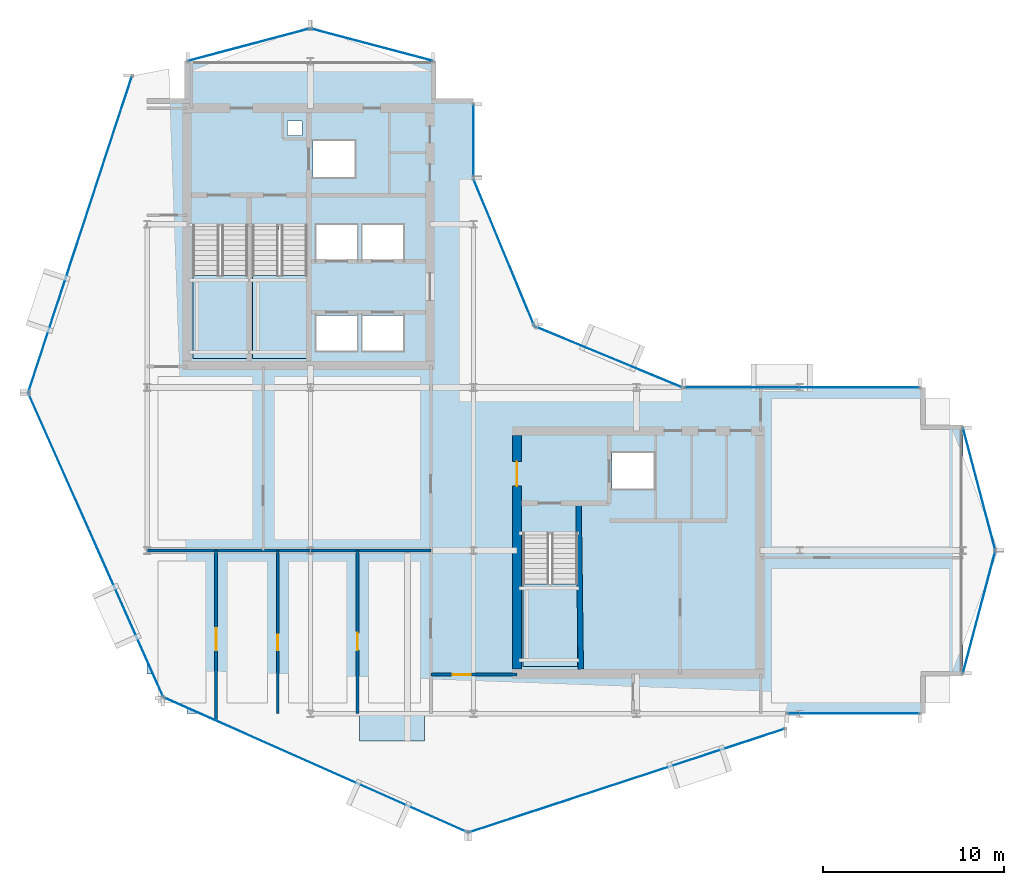
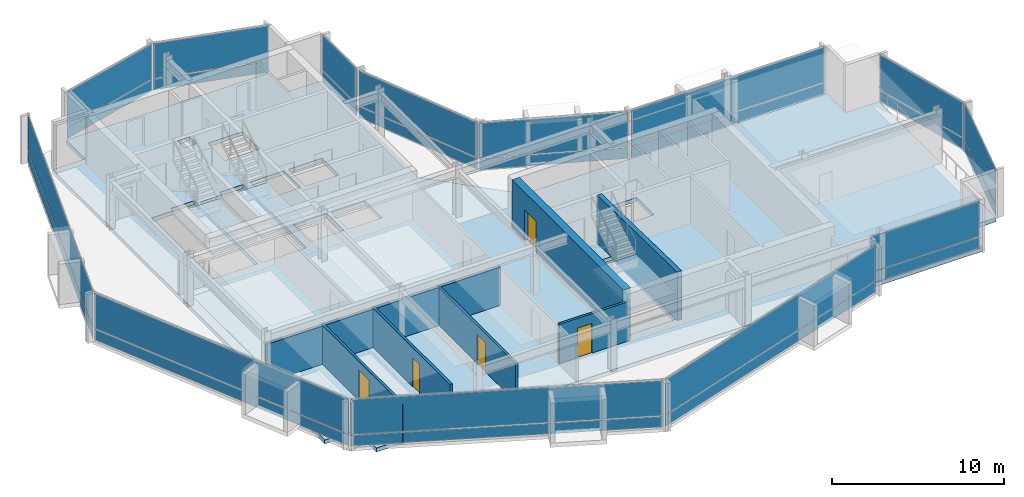
# One storey, part 19 of 27: 26 plates, 7 walls, 5 doors, 5 slabs, 5 openings, 16 elements without a shape of their own.
"""IFC4 building model written with IfcOpenShell, lengths in metres."""

import ifcopenshell
import ifcopenshell.guid

model = None  # the IFC model being written
_history = None  # IfcOwnerHistory: only IFC2X3 demands one
_inside = {}  # id of a spatial element -> (the spatial element, [elements in it])
_under = {}  # id of a project, library or spatial element -> (it, [spatial elements below it])
_declared = {}  # id of a project -> (the project, [libraries it declares])
_typed = {}  # id of a type object -> (the type object, [elements of that type])
_made_of = {}  # id of a material, layer set ... -> (it, [elements and type objects made of it])


def new_model(schema):
    """Start an empty IFC model of exactly this schema.

    Asked for "IFC4X3", IfcOpenShell would pick the latest addendum, in which some entities
    have other attributes; the version numbers below select the first issue.
    IFC2X3 requires an IfcOwnerHistory on every rooted entity: one is made here for all.
    """
    global model, _history
    if schema == "IFC4X3":
        model = ifcopenshell.file(schema_version=(4, 3, 0, 0))
    else:
        model = ifcopenshell.file(schema=schema)
    _inside.clear()
    _under.clear()
    _declared.clear()
    _typed.clear()
    _made_of.clear()
    _history = None
    if model.schema == "IFC2X3":
        org = make("IfcOrganization", Name="unknown")
        user = make(
            "IfcPersonAndOrganization",
            ThePerson=make("IfcPerson", FamilyName="unknown"),
            TheOrganization=org,
        )
        app = make(
            "IfcApplication",
            ApplicationDeveloper=org,
            Version="unknown",
            ApplicationFullName="unknown",
            ApplicationIdentifier="unknown",
        )
        _history = make(
            "IfcOwnerHistory",
            OwningUser=user,
            OwningApplication=app,
            ChangeAction="ADDED",
            CreationDate=0,
        )
    return model


def make(cls, **values):
    """One entity of the class cls with the attributes given. An attribute that is None is left unset."""
    return model.create_entity(
        cls, **{name: value for name, value in values.items() if value is not None}
    )


def rooted(cls, **values):
    """An entity with a GlobalId (a new one), such as an element, a storey or a relation."""
    return make(cls, GlobalId=ifcopenshell.guid.new(), OwnerHistory=_history, **values)


def si_unit(unit_type, name, prefix=None):
    """IfcSIUnit, for example si_unit("LENGTHUNIT", "METRE", prefix="MILLI")."""
    return make("IfcSIUnit", UnitType=unit_type, Prefix=prefix, Name=name)


def assignment(units):
    """IfcUnitAssignment: the units of a project."""
    return None if units is None else make("IfcUnitAssignment", Units=units)


def point(xyz):
    """IfcCartesianPoint."""
    return None if xyz is None else make("IfcCartesianPoint", Coordinates=xyz)


def direction(xyz):
    """IfcDirection."""
    return None if xyz is None else make("IfcDirection", DirectionRatios=xyz)


def frame(location, z_axis=None, x_axis=None):
    """IfcAxis2Placement3D, a coordinate frame: its origin and axes. An axis left out is left unset."""
    return make(
        "IfcAxis2Placement3D",
        Location=point(location),
        Axis=direction(z_axis),
        RefDirection=direction(x_axis),
    )


def frame_2d(location, x_axis=None):
    """IfcAxis2Placement2D, a coordinate frame in the plane: its origin and x axis."""
    return make(
        "IfcAxis2Placement2D", Location=point(location), RefDirection=direction(x_axis)
    )


def origin():
    """The frame at (0, 0, 0) with its axes left unset."""
    return frame((0.0, 0.0, 0.0))


def origin_2d():
    """The frame at (0, 0) in the plane with its x axis left unset."""
    return frame_2d((0.0, 0.0))


def place(relative_to, where):
    """IfcLocalPlacement: puts the frame where relative to a parent placement (None: the world)."""
    return make(
        "IfcLocalPlacement", PlacementRelTo=relative_to, RelativePlacement=where
    )


def context(
    kind, dimensions, precision=None, world=None, true_north=None, identifier=None
):
    """IfcGeometricRepresentationContext, for example the 3D "Model" context."""
    return make(
        "IfcGeometricRepresentationContext",
        ContextIdentifier=identifier,
        ContextType=kind,
        CoordinateSpaceDimension=dimensions,
        Precision=precision,
        WorldCoordinateSystem=world,
        TrueNorth=true_north,
    )


def subcontext(parent, identifier, kind, view, scale=None):
    """IfcGeometricRepresentationSubContext, for example "Body" below "Model"."""
    return make(
        "IfcGeometricRepresentationSubContext",
        ContextIdentifier=identifier,
        ContextType=kind,
        ParentContext=parent,
        TargetScale=scale,
        TargetView=view,
    )


def project(units=None, contexts=None):
    """IfcProject with its units and contexts."""
    return rooted(
        "IfcProject",
        Name="project",
        RepresentationContexts=contexts,
        UnitsInContext=assignment(units),
    )


def spatial(cls, under=None, at=None, **own):
    """A site, building, storey or space (cls), placed at a placement, below another one or the project."""
    s = rooted(cls, ObjectPlacement=at, **own)
    if under is not None:
        _under.setdefault(under.id(), (under, []))[1].append(s)
    return s


def polyline(points):
    """IfcPolyline through the points."""
    return make("IfcPolyline", Points=[point(p) for p in points])


def profile(cls, at=None, kind="AREA", **sizes):
    """A parametric profile (cls). Its sizes go by their IFC names, for example OverallWidth=200.0."""
    return make(cls, ProfileType=kind, Position=at, **sizes)


def rectangle(**sizes):
    """IfcRectangleProfileDef."""
    return profile("IfcRectangleProfileDef", **sizes)


def outline(outer, holes=None, kind="AREA"):
    """IfcArbitraryClosedProfileDef: a profile drawn as a closed curve; with holes, ...WithVoids."""
    if holes is None:
        return make("IfcArbitraryClosedProfileDef", ProfileType=kind, OuterCurve=outer)
    return make(
        "IfcArbitraryProfileDefWithVoids",
        ProfileType=kind,
        OuterCurve=outer,
        InnerCurves=holes,
    )


def extrude(swept, where, along, depth):
    """IfcExtrudedAreaSolid: the profile swept, set in the frame where, extruded along a direction by depth."""
    return make(
        "IfcExtrudedAreaSolid",
        SweptArea=swept,
        Position=where,
        ExtrudedDirection=direction(along),
        Depth=depth,
    )


def shape(context_of_items, identifier, shape_type, items):
    """IfcShapeRepresentation: the items that make up one representation, for example the "Body"."""
    return make(
        "IfcShapeRepresentation",
        ContextOfItems=context_of_items,
        RepresentationIdentifier=identifier,
        RepresentationType=shape_type,
        Items=items,
    )


def material(Name=None, Category=None):
    """IfcMaterial."""
    return make("IfcMaterial", Name=Name, Category=Category)


def layer(
    of_material, thickness, ventilated=None, Name=None, Category=None, Priority=None
):
    """IfcMaterialLayer: one layer of a wall or slab, of a material (None: an air gap)."""
    return make(
        "IfcMaterialLayer",
        Material=of_material,
        LayerThickness=thickness,
        IsVentilated=ventilated,
        Name=Name,
        Category=Category,
        Priority=Priority,
    )


def layer_set(layers, Name=None):
    """IfcMaterialLayerSet."""
    return make("IfcMaterialLayerSet", MaterialLayers=layers, LayerSetName=Name)


def made_of(thing, what):
    """Note that an element or type object is made of a material, layer set ...; save() writes the relation."""
    if what is not None:
        _made_of.setdefault(what.id(), (what, []))[1].append(thing)
    return thing


def type_object(cls, material=None, **own):
    """A type object (cls), such as IfcWallType, which elements share."""
    return made_of(rooted(cls, **own), material)


def element(
    cls,
    number,
    at=None,
    inside=None,
    cuts=None,
    type_object=None,
    material=None,
    context=None,
    identifier="Body",
    shape_type=None,
    held_by="IfcProductDefinitionShape",
    body=None,
    shapes=None,
    **own,
):
    """One element of the class cls, such as IfcWall. Its Tag is "e" and its number.

    at: its placement. inside: the storey or other place that contains it. cuts: it is an
    opening in that element (IfcRelVoidsElement). A single representation is given by context,
    identifier, shape_type and body (its items); several are given by shapes. held_by: the class
    of the entity that holds the representations. save() writes the other relations.
    """
    e = rooted(cls, Tag="e%d" % number, ObjectPlacement=at, **own)
    if body is not None:
        shapes = [shape(context, identifier, shape_type, body)]
    if shapes is not None:
        e.Representation = make(held_by, Representations=shapes)
    if inside is not None:
        _inside.setdefault(inside.id(), (inside, []))[1].append(e)
    if cuts is not None:
        rooted(
            "IfcRelVoidsElement", RelatingBuildingElement=cuts, RelatedOpeningElement=e
        )
    if type_object is not None:
        _typed.setdefault(type_object.id(), (type_object, []))[1].append(e)
    return made_of(e, material)


def fill(opening, filler):
    """IfcRelFillsElement: the door or window that sits in an opening."""
    return rooted(
        "IfcRelFillsElement",
        RelatingOpeningElement=opening,
        RelatedBuildingElement=filler,
    )


def aggregate(whole, parts):
    """IfcRelAggregates: a whole, such as a stair, and the parts it consists of."""
    return rooted("IfcRelAggregates", RelatingObject=whole, RelatedObjects=parts)


def save(model, path):
    """Write the relations noted so far, then the file.

    IfcRelAggregates (storeys below a building ...), IfcRelContainedInSpatialStructure (elements
    in a storey), IfcRelDefinesByType, IfcRelAssociatesMaterial and IfcRelDeclares: one each for
    every whole, place, type object, material and project.
    """
    for whole, parts in _under.values():
        aggregate(whole, parts)
    for where, things in _inside.values():
        rooted(
            "IfcRelContainedInSpatialStructure",
            RelatedElements=things,
            RelatingStructure=where,
        )
    for kind, things in _typed.values():
        rooted("IfcRelDefinesByType", RelatedObjects=things, RelatingType=kind)
    for what, things in _made_of.values():
        rooted("IfcRelAssociatesMaterial", RelatedObjects=things, RelatingMaterial=what)
    for by, libraries in _declared.values():
        rooted("IfcRelDeclares", RelatingContext=by, RelatedDefinitions=libraries)
    model.write(path)


model = new_model("IFC4")

# Units and contexts
model_context = context("Model", 3, precision=1e-05, world=origin(), true_north=direction((0.0, 1.0)))
body_context = subcontext(model_context, "Body", "Model", "MODEL_VIEW")
ifc_project = project(units=[si_unit("LENGTHUNIT", "METRE"), si_unit("AREAUNIT", "SQUARE_METRE"), si_unit("VOLUMEUNIT", "CUBIC_METRE"), si_unit("PLANEANGLEUNIT", "RADIAN"), si_unit("MASSUNIT", "GRAM", prefix="KILO")], contexts=[model_context])

# Site, building, storey
site_placement = place(None, origin())
site = spatial("IfcSite", under=ifc_project, at=site_placement, CompositionType="ELEMENT")
building_placement = place(site_placement, origin())
building = spatial("IfcBuilding", under=site, at=building_placement, Name="Solvaryn Broadcast Tower", CompositionType="ELEMENT")
storey_placement = place(building_placement, frame((0.0, 0.0, 221.0)))
storey = spatial("IfcBuildingStorey", under=building, at=storey_placement, Name="L55", CompositionType="ELEMENT", Elevation=221.0)

# Curtain wall, plates
ifc_material_1 = material(Name="Aluminium and Terracotta Unitised Curtain Wall", Category="masonry")
ifc_layer_1 = layer(ifc_material_1, 0.199951171875)
ifc_layer_set_1 = layer_set([ifc_layer_1], Name="CW-SYS2-LOWMID")
curtain_wall_type_1 = type_object("IfcCurtainWallType", Name="CW-SYS2-LOWMID", PredefinedType="NOTDEFINED", material=ifc_layer_set_1)
curtain_wall_1_placement = place(storey_placement, origin())
curtain_wall_1 = element("IfcCurtainWall", 1, at=curtain_wall_1_placement, inside=storey, type_object=curtain_wall_type_1, Name="L55 Curtain Wall DR1", PredefinedType="NOTDEFINED")
ifc_material_2 = material(Name="Low-Iron Insulated Vision Glass", Category="glass")
ifc_layer_2 = layer(ifc_material_2, 0.035888671875)
ifc_layer_set_2 = layer_set([ifc_layer_2], Name="CW-PNL-VISION")
plate_type = type_object("IfcPlateType", Name="CW-PNL-VISION", PredefinedType="CURTAIN_PANEL", material=ifc_layer_set_2)
plate_1_placement = place(storey_placement, frame((5.298095703125, 35.444091796875, 0.06005859375), z_axis=(0.0, 0.0, 1.0), x_axis=(-0.311558717623, -0.950226902099, 0.0)))
plate_1 = element("IfcPlate", 2, at=plate_1_placement, type_object=plate_type, Name="CWS2 panel 1.1", PredefinedType="CURTAIN_PANEL", context=body_context, shape_type="SweptSolid", body=[
    extrude(rectangle(XDim=18.271484375, YDim=0.028076171875, at=origin_2d()), origin(), (0.0, 0.0, 1.0), 0.760009765625),
])
plate_2_placement = place(storey_placement, frame((5.298095703125, 35.444091796875, 0.880126953125), z_axis=(0.0, 0.0, 1.0), x_axis=(-0.311558717623, -0.950226902099, 0.0)))
plate_2 = element("IfcPlate", 3, at=plate_2_placement, type_object=plate_type, Name="CWS2 panel 1.2", PredefinedType="CURTAIN_PANEL", context=body_context, shape_type="SweptSolid", body=[
    extrude(rectangle(XDim=18.271484375, YDim=0.028076171875, at=origin_2d()), origin(), (0.0, 0.0, 1.0), 2.47998046875),
])
aggregate(curtain_wall_1, [plate_1, plate_2])

ifc_material_3 = material(Name="Aluminium and Terracotta Unitised Curtain Wall", Category="masonry")
ifc_layer_3 = layer(ifc_material_3, 0.239990234375)
ifc_layer_set_3 = layer_set([ifc_layer_3], Name="CW-SYS3-BAYBOX")
curtain_wall_type_2 = type_object("IfcCurtainWallType", Name="CW-SYS3-BAYBOX", PredefinedType="NOTDEFINED", material=ifc_layer_set_3)
curtain_wall_2_placement = place(storey_placement, origin())
curtain_wall_2 = element("IfcCurtainWall", 4, at=curtain_wall_2_placement, inside=storey, type_object=curtain_wall_type_2, Name="L55 Curtain Wall DR2", PredefinedType="NOTDEFINED")
plate_3_placement = place(storey_placement, frame((6.16552734375, 18.302001953125, 0.06005859375), z_axis=(0.0, 0.0, 1.0), x_axis=(0.405901337237, -0.913916902365, 0.0)))
plate_3 = element("IfcPlate", 5, at=plate_3_placement, type_object=plate_type, Name="CWS3 panel 1.1", PredefinedType="CURTAIN_PANEL", context=body_context, shape_type="SweptSolid", body=[
    extrude(rectangle(XDim=18.271240234375, YDim=0.028076171875, at=origin_2d()), origin(), (0.0, 0.0, 1.0), 0.760009765625),
])
plate_4_placement = place(storey_placement, frame((6.16552734375, 18.302001953125, 0.880126953125), z_axis=(0.0, 0.0, 1.0), x_axis=(0.405901337237, -0.913916902365, 0.0)))
plate_4 = element("IfcPlate", 6, at=plate_4_placement, type_object=plate_type, Name="CWS3 panel 1.2", PredefinedType="CURTAIN_PANEL", context=body_context, shape_type="SweptSolid", body=[
    extrude(rectangle(XDim=18.271240234375, YDim=0.028076171875, at=origin_2d()), origin(), (0.0, 0.0, 1.0), 2.47998046875),
])
aggregate(curtain_wall_2, [plate_3, plate_4])

curtain_wall_3_placement = place(storey_placement, origin())
curtain_wall_3 = element("IfcCurtainWall", 7, at=curtain_wall_3_placement, inside=storey, type_object=curtain_wall_type_1, Name="L55 Curtain Wall DR3", PredefinedType="NOTDEFINED")
plate_5_placement = place(storey_placement, frame((18.302001953125, 6.16552734375, 0.06005859375), z_axis=(0.0, 0.0, 1.0), x_axis=(0.913916902365, -0.405901337237, 0.0)))
plate_5 = element("IfcPlate", 8, at=plate_5_placement, type_object=plate_type, Name="CWS2 panel 1.1", PredefinedType="CURTAIN_PANEL", context=body_context, shape_type="SweptSolid", body=[
    extrude(rectangle(XDim=18.271240234375, YDim=0.028076171875, at=origin_2d()), origin(), (0.0, 0.0, 1.0), 0.760009765625),
])
plate_6_placement = place(storey_placement, frame((18.302001953125, 6.16552734375, 0.880126953125), z_axis=(0.0, 0.0, 1.0), x_axis=(0.913916902365, -0.405901337237, 0.0)))
plate_6 = element("IfcPlate", 9, at=plate_6_placement, type_object=plate_type, Name="CWS2 panel 1.2", PredefinedType="CURTAIN_PANEL", context=body_context, shape_type="SweptSolid", body=[
    extrude(rectangle(XDim=18.271240234375, YDim=0.028076171875, at=origin_2d()), origin(), (0.0, 0.0, 1.0), 2.47998046875),
])
aggregate(curtain_wall_3, [plate_5, plate_6])

curtain_wall_4_placement = place(storey_placement, origin())
curtain_wall_4 = element("IfcCurtainWall", 10, at=curtain_wall_4_placement, inside=storey, type_object=curtain_wall_type_1, Name="L55 Curtain Wall DR4", PredefinedType="NOTDEFINED")
plate_7_placement = place(storey_placement, frame((35.444091796875, 5.298095703125, 0.06005859375), z_axis=(0.0, 0.0, 1.0), x_axis=(0.950226902099, 0.311558717623, 0.0)))
plate_7 = element("IfcPlate", 11, at=plate_7_placement, type_object=plate_type, Name="CWS2 panel 1.1", PredefinedType="CURTAIN_PANEL", context=body_context, shape_type="SweptSolid", body=[
    extrude(rectangle(XDim=18.271484375, YDim=0.028076171875, at=origin_2d()), origin(), (0.0, 0.0, 1.0), 0.760009765625),
])
plate_8_placement = place(storey_placement, frame((35.444091796875, 5.298095703125, 0.880126953125), z_axis=(0.0, 0.0, 1.0), x_axis=(0.950226902099, 0.311558717623, 0.0)))
plate_8 = element("IfcPlate", 12, at=plate_8_placement, type_object=plate_type, Name="CWS2 panel 1.2", PredefinedType="CURTAIN_PANEL", context=body_context, shape_type="SweptSolid", body=[
    extrude(rectangle(XDim=18.271484375, YDim=0.028076171875, at=origin_2d()), origin(), (0.0, 0.0, 1.0), 2.47998046875),
])
aggregate(curtain_wall_4, [plate_7, plate_8])

curtain_wall_5_placement = place(storey_placement, origin())
curtain_wall_5 = element("IfcCurtainWall", 13, at=curtain_wall_5_placement, inside=storey, type_object=curtain_wall_type_1, Name="L55 Curtain Wall IV", PredefinedType="NOTDEFINED")
plate_9_placement = place(storey_placement, frame((27.0, 40.625, 0.06005859375), z_axis=(0.0, 0.0, 1.0), x_axis=(0.0, -1.0, 0.0)))
plate_9 = element("IfcPlate", 14, at=plate_9_placement, type_object=plate_type, Name="CWS2 panel 1.1", PredefinedType="CURTAIN_PANEL", context=body_context, shape_type="SweptSolid", body=[
    extrude(rectangle(XDim=3.929931640625, YDim=0.028076171875, at=origin_2d()), origin(), (0.0, 0.0, 1.0), 0.760009765625),
])
plate_10_placement = place(storey_placement, frame((27.0, 40.625, 0.880126953125), z_axis=(0.0, 0.0, 1.0), x_axis=(0.0, -1.0, 0.0)))
plate_10 = element("IfcPlate", 15, at=plate_10_placement, type_object=plate_type, Name="CWS2 panel 1.2", PredefinedType="CURTAIN_PANEL", context=body_context, shape_type="SweptSolid", body=[
    extrude(rectangle(XDim=3.929931640625, YDim=0.028076171875, at=origin_2d()), origin(), (0.0, 0.0, 1.0), 2.47998046875),
])
aggregate(curtain_wall_5, [plate_9, plate_10])

curtain_wall_6_placement = place(storey_placement, origin())
curtain_wall_6 = element("IfcCurtainWall", 16, at=curtain_wall_6_placement, inside=storey, type_object=curtain_wall_type_1, Name="L55 Curtain Wall CN1", PredefinedType="NOTDEFINED")
plate_11_placement = place(storey_placement, frame((34.43408203125, 28.68408203125, 0.06005859375), z_axis=(0.0, 0.0, 1.0), x_axis=(-0.923894983957, 0.382646127145, 0.0)))
plate_11 = element("IfcPlate", 17, at=plate_11_placement, type_object=plate_type, Name="CWS2 panel 1.1", PredefinedType="CURTAIN_PANEL", context=body_context, shape_type="SweptSolid", body=[
    extrude(rectangle(XDim=8.681884765625, YDim=0.028076171875, at=origin_2d()), origin(), (0.0, 0.0, 1.0), 0.760009765625),
])
plate_12_placement = place(storey_placement, frame((34.43408203125, 28.68408203125, 0.880126953125), z_axis=(0.0, 0.0, 1.0), x_axis=(-0.923894983957, 0.382646127145, 0.0)))
plate_12 = element("IfcPlate", 18, at=plate_12_placement, type_object=plate_type, Name="CWS2 panel 1.2", PredefinedType="CURTAIN_PANEL", context=body_context, shape_type="SweptSolid", body=[
    extrude(rectangle(XDim=8.681884765625, YDim=0.028076171875, at=origin_2d()), origin(), (0.0, 0.0, 1.0), 2.47998046875),
])
aggregate(curtain_wall_6, [plate_11, plate_12])

curtain_wall_7_placement = place(storey_placement, origin())
curtain_wall_7 = element("IfcCurtainWall", 19, at=curtain_wall_7_placement, inside=storey, type_object=curtain_wall_type_1, Name="L55 Curtain Wall CN2", PredefinedType="NOTDEFINED")
plate_13_placement = place(storey_placement, frame((28.68408203125, 34.43408203125, 0.06005859375), z_axis=(0.0, 0.0, 1.0), x_axis=(-0.382646127145, 0.923894983957, 0.0)))
plate_13 = element("IfcPlate", 20, at=plate_13_placement, type_object=plate_type, Name="CWS2 panel 1.1", PredefinedType="CURTAIN_PANEL", context=body_context, shape_type="SweptSolid", body=[
    extrude(rectangle(XDim=8.681884765625, YDim=0.028076171875, at=origin_2d()), origin(), (0.0, 0.0, 1.0), 0.760009765625),
])
plate_14_placement = place(storey_placement, frame((28.68408203125, 34.43408203125, 0.880126953125), z_axis=(0.0, 0.0, 1.0), x_axis=(-0.382646127145, 0.923894983957, 0.0)))
plate_14 = element("IfcPlate", 21, at=plate_14_placement, type_object=plate_type, Name="CWS2 panel 1.2", PredefinedType="CURTAIN_PANEL", context=body_context, shape_type="SweptSolid", body=[
    extrude(rectangle(XDim=8.681884765625, YDim=0.028076171875, at=origin_2d()), origin(), (0.0, 0.0, 1.0), 2.47998046875),
])
aggregate(curtain_wall_7, [plate_13, plate_14])

curtain_wall_8_placement = place(storey_placement, origin())
curtain_wall_8 = element("IfcCurtainWall", 22, at=curtain_wall_8_placement, inside=storey, type_object=curtain_wall_type_1, Name="L55 Curtain Wall S2", PredefinedType="NOTDEFINED")
plate_15_placement = place(storey_placement, frame((47.966064453125, 9.0, 0.06005859375), z_axis=(0.0, 0.0, 1.0), x_axis=(1.0, 0.0, 0.0)))
plate_15 = element("IfcPlate", 23, at=plate_15_placement, type_object=plate_type, Name="CWS2 panel 1.1", PredefinedType="CURTAIN_PANEL", context=body_context, shape_type="SweptSolid", body=[
    extrude(rectangle(XDim=7.248046875, YDim=0.028076171875, at=origin_2d()), origin(), (0.0, 0.0, 1.0), 0.760009765625),
])
plate_16_placement = place(storey_placement, frame((47.966064453125, 9.0, 0.880126953125), z_axis=(0.0, 0.0, 1.0), x_axis=(1.0, 0.0, 0.0)))
plate_16 = element("IfcPlate", 24, at=plate_16_placement, type_object=plate_type, Name="CWS2 panel 1.2", PredefinedType="CURTAIN_PANEL", context=body_context, shape_type="SweptSolid", body=[
    extrude(rectangle(XDim=7.248046875, YDim=0.028076171875, at=origin_2d()), origin(), (0.0, 0.0, 1.0), 2.47998046875),
])
aggregate(curtain_wall_8, [plate_15, plate_16])

curtain_wall_9_placement = place(storey_placement, origin())
curtain_wall_9 = element("IfcCurtainWall", 25, at=curtain_wall_9_placement, inside=storey, type_object=curtain_wall_type_1, Name="L55 Curtain Wall NT1", PredefinedType="NOTDEFINED")
plate_17_placement = place(storey_placement, frame((21.39990234375, 45.89990234375, 0.06005859375), z_axis=(0.0, 0.0, 1.0), x_axis=(-0.966705227863, 0.25589256031, 0.0)))
plate_17 = element("IfcPlate", 26, at=plate_17_placement, type_object=plate_type, Name="CWS2 panel 1.1", PredefinedType="CURTAIN_PANEL", context=body_context, shape_type="SweptSolid", body=[
    extrude(rectangle(XDim=6.914306640625, YDim=0.028076171875, at=origin_2d()), origin(), (0.0, 0.0, 1.0), 0.760009765625),
])
plate_18_placement = place(storey_placement, frame((21.39990234375, 45.89990234375, 0.880126953125), z_axis=(0.0, 0.0, 1.0), x_axis=(-0.966705227863, 0.25589256031, 0.0)))
plate_18 = element("IfcPlate", 27, at=plate_18_placement, type_object=plate_type, Name="CWS2 panel 1.2", PredefinedType="CURTAIN_PANEL", context=body_context, shape_type="SweptSolid", body=[
    extrude(rectangle(XDim=6.914306640625, YDim=0.028076171875, at=origin_2d()), origin(), (0.0, 0.0, 1.0), 2.47998046875),
])
aggregate(curtain_wall_9, [plate_17, plate_18])

curtain_wall_10_placement = place(storey_placement, origin())
curtain_wall_10 = element("IfcCurtainWall", 28, at=curtain_wall_10_placement, inside=storey, type_object=curtain_wall_type_1, Name="L55 Curtain Wall NT2", PredefinedType="NOTDEFINED")
plate_19_placement = place(storey_placement, frame((14.60009765625, 45.89990234375, 0.06005859375), z_axis=(0.0, 0.0, 1.0), x_axis=(-0.966705227863, -0.25589256031, 0.0)))
plate_19 = element("IfcPlate", 29, at=plate_19_placement, type_object=plate_type, Name="CWS2 panel 1.1", PredefinedType="CURTAIN_PANEL", context=body_context, shape_type="SweptSolid", body=[
    extrude(rectangle(XDim=6.914306640625, YDim=0.028076171875, at=origin_2d()), origin(), (0.0, 0.0, 1.0), 0.760009765625),
])
plate_20_placement = place(storey_placement, frame((14.60009765625, 45.89990234375, 0.880126953125), z_axis=(0.0, 0.0, 1.0), x_axis=(-0.966705227863, -0.25589256031, 0.0)))
plate_20 = element("IfcPlate", 30, at=plate_20_placement, type_object=plate_type, Name="CWS2 panel 1.2", PredefinedType="CURTAIN_PANEL", context=body_context, shape_type="SweptSolid", body=[
    extrude(rectangle(XDim=6.914306640625, YDim=0.028076171875, at=origin_2d()), origin(), (0.0, 0.0, 1.0), 2.47998046875),
])
aggregate(curtain_wall_10, [plate_19, plate_20])

curtain_wall_11_placement = place(storey_placement, origin())
curtain_wall_11 = element("IfcCurtainWall", 31, at=curtain_wall_11_placement, inside=storey, type_object=curtain_wall_type_1, Name="L55 Curtain Wall ET1", PredefinedType="NOTDEFINED")
plate_21_placement = place(storey_placement, frame((54.89990234375, 21.39990234375, 0.06005859375), z_axis=(0.0, 0.0, 1.0), x_axis=(0.25589256031, -0.966705227863, 0.0)))
plate_21 = element("IfcPlate", 32, at=plate_21_placement, type_object=plate_type, Name="CWS2 panel 1.1", PredefinedType="CURTAIN_PANEL", context=body_context, shape_type="SweptSolid", body=[
    extrude(rectangle(XDim=6.914306640625, YDim=0.028076171875, at=origin_2d()), origin(), (0.0, 0.0, 1.0), 0.760009765625),
])
plate_22_placement = place(storey_placement, frame((54.89990234375, 21.39990234375, 0.880126953125), z_axis=(0.0, 0.0, 1.0), x_axis=(0.25589256031, -0.966705227863, 0.0)))
plate_22 = element("IfcPlate", 33, at=plate_22_placement, type_object=plate_type, Name="CWS2 panel 1.2", PredefinedType="CURTAIN_PANEL", context=body_context, shape_type="SweptSolid", body=[
    extrude(rectangle(XDim=6.914306640625, YDim=0.028076171875, at=origin_2d()), origin(), (0.0, 0.0, 1.0), 2.47998046875),
])
aggregate(curtain_wall_11, [plate_21, plate_22])

curtain_wall_12_placement = place(storey_placement, origin())
curtain_wall_12 = element("IfcCurtainWall", 34, at=curtain_wall_12_placement, inside=storey, type_object=curtain_wall_type_1, Name="L55 Curtain Wall ET2", PredefinedType="NOTDEFINED")
plate_23_placement = place(storey_placement, frame((54.89990234375, 14.60009765625, 0.06005859375), z_axis=(0.0, 0.0, 1.0), x_axis=(-0.25589256031, -0.966705227863, 0.0)))
plate_23 = element("IfcPlate", 35, at=plate_23_placement, type_object=plate_type, Name="CWS2 panel 1.1", PredefinedType="CURTAIN_PANEL", context=body_context, shape_type="SweptSolid", body=[
    extrude(rectangle(XDim=6.914306640625, YDim=0.028076171875, at=origin_2d()), origin(), (0.0, 0.0, 1.0), 0.760009765625),
])
plate_24_placement = place(storey_placement, frame((54.89990234375, 14.60009765625, 0.880126953125), z_axis=(0.0, 0.0, 1.0), x_axis=(-0.25589256031, -0.966705227863, 0.0)))
plate_24 = element("IfcPlate", 36, at=plate_24_placement, type_object=plate_type, Name="CWS2 panel 1.2", PredefinedType="CURTAIN_PANEL", context=body_context, shape_type="SweptSolid", body=[
    extrude(rectangle(XDim=6.914306640625, YDim=0.028076171875, at=origin_2d()), origin(), (0.0, 0.0, 1.0), 2.47998046875),
])
aggregate(curtain_wall_12, [plate_23, plate_24])

curtain_wall_13_placement = place(storey_placement, origin())
curtain_wall_13 = element("IfcCurtainWall", 37, at=curtain_wall_13_placement, inside=storey, type_object=curtain_wall_type_1, Name="L55 Curtain Wall IH", PredefinedType="NOTDEFINED")
plate_25_placement = place(storey_placement, frame((45.125, 27.0, 0.06005859375), z_axis=(0.0, 0.0, 1.0), x_axis=(1.0, 0.0, 0.0)))
plate_25 = element("IfcPlate", 38, at=plate_25_placement, type_object=plate_type, Name="CWS2 panel 1.1", PredefinedType="CURTAIN_PANEL", context=body_context, shape_type="SweptSolid", body=[
    extrude(rectangle(XDim=12.929931640625, YDim=0.028076171875, at=origin_2d()), origin(), (0.0, 0.0, 1.0), 0.760009765625),
])
plate_26_placement = place(storey_placement, frame((45.125, 27.0, 0.880126953125), z_axis=(0.0, 0.0, 1.0), x_axis=(1.0, 0.0, 0.0)))
plate_26 = element("IfcPlate", 39, at=plate_26_placement, type_object=plate_type, Name="CWS2 panel 1.2", PredefinedType="CURTAIN_PANEL", context=body_context, shape_type="SweptSolid", body=[
    extrude(rectangle(XDim=12.929931640625, YDim=0.028076171875, at=origin_2d()), origin(), (0.0, 0.0, 1.0), 2.47998046875),
])
aggregate(curtain_wall_13, [plate_25, plate_26])

# Slab
ifc_material_4 = material(Name="Concrete f'c 60 MPa", Category="concrete")
ifc_layer_4 = layer(ifc_material_4, 0.2099609375)
ifc_layer_set_4 = layer_set([ifc_layer_4], Name="SL-BAYBOX-210")
slab_type_1 = type_object("IfcSlabType", Name="SL-BAYBOX-210", PredefinedType="FLOOR", material=ifc_layer_set_4)
slab_1_placement = place(storey_placement, frame((0.0, 0.0, -0.2099609375)))
element("IfcSlab", 40, at=slab_1_placement, inside=storey, type_object=slab_type_1, Name="L55 Projecting Bay-Box Slab 1", PredefinedType="FLOOR", context=body_context, shape_type="SweptSolid", body=[
    extrude(outline(polyline([(20.699951171875, 7.5), (24.300048828125, 7.5), (24.300048828125, 9.0), (20.699951171875, 9.0), (20.699951171875, 7.5)])), origin(), (0.0, 0.0, 1.0), 0.2099609375),
])

# Stair, slab
ifc_material_5 = material(Name="Concrete f'c 60 MPa", Category="concrete")
stair_type = type_object("IfcStairType", Name="ST-CORE", PredefinedType="HALF_TURN_STAIR", material=ifc_material_5)
stair_1_placement = place(storey_placement, origin())
stair_1 = element("IfcStair", 41, at=stair_1_placement, inside=storey, type_object=stair_type, Name="L55 ST1", PredefinedType="HALF_TURN_STAIR")
ifc_material_6 = material(Name="Concrete f'c 60 MPa", Category="concrete")
ifc_layer_5 = layer(ifc_material_6, 0.199951171875)
ifc_layer_set_5 = layer_set([ifc_layer_5], Name="SL-LANDING-200")
slab_type_2 = type_object("IfcSlabType", Name="SL-LANDING-200", PredefinedType="LANDING", material=ifc_layer_set_5)
slab_2_placement = place(storey_placement, frame((0.0, 0.0, 1.64990234375)))
slab_2 = element("IfcSlab", 42, at=slab_2_placement, type_object=slab_type_2, Name="ST1 landing 1", PredefinedType="LANDING", context=body_context, shape_type="SweptSolid", body=[
    extrude(outline(polyline([(11.52001953125, 33.159912109375), (11.52001953125, 28.60009765625), (14.550048828125, 28.60009765625), (14.550048828125, 33.159912109375), (11.52001953125, 33.159912109375)])), origin(), (0.0, 0.0, 1.0), 0.2001953125),
])
aggregate(stair_1, [slab_2])

stair_2_placement = place(storey_placement, origin())
stair_2 = element("IfcStair", 43, at=stair_2_placement, inside=storey, type_object=stair_type, Name="L55 ST2", PredefinedType="HALF_TURN_STAIR")
slab_3_placement = place(storey_placement, frame((0.0, 0.0, 1.64990234375)))
slab_3 = element("IfcSlab", 44, at=slab_3_placement, type_object=slab_type_2, Name="ST2 landing 1", PredefinedType="LANDING", context=body_context, shape_type="SweptSolid", body=[
    extrude(outline(polyline([(14.800048828125, 33.159912109375), (14.800048828125, 28.60009765625), (17.830078125, 28.60009765625), (17.830078125, 33.159912109375), (14.800048828125, 33.159912109375)])), origin(), (0.0, 0.0, 1.0), 0.2001953125),
])
aggregate(stair_2, [slab_3])

stair_3_placement = place(storey_placement, origin())
stair_3 = element("IfcStair", 45, at=stair_3_placement, inside=storey, type_object=stair_type, Name="L55 ST3", PredefinedType="HALF_TURN_STAIR")
slab_4_placement = place(storey_placement, frame((0.0, 0.0, 1.64990234375)))
slab_4 = element("IfcSlab", 46, at=slab_4_placement, type_object=slab_type_2, Name="ST3 landing 1", PredefinedType="LANDING", context=body_context, shape_type="SweptSolid", body=[
    extrude(outline(polyline([(29.719970703125, 16.159912109375), (29.719970703125, 11.60009765625), (32.75, 11.60009765625), (32.75, 16.159912109375), (29.719970703125, 16.159912109375)])), origin(), (0.0, 0.0, 1.0), 0.2001953125),
])
aggregate(stair_3, [slab_4])

# Slab
ifc_material_7 = material(Name="Concrete f'c 60 MPa", Category="concrete")
ifc_layer_6 = layer(ifc_material_7, 0.280029296875)
ifc_layer_set_6 = layer_set([ifc_layer_6], Name="SL-TWR-280")
slab_type_3 = type_object("IfcSlabType", Name="SL-TWR-280", PredefinedType="FLOOR", material=ifc_layer_set_6)
slab_5_placement = place(storey_placement, frame((0.0, 0.0, -0.280029296875)))
element("IfcSlab", 47, at=slab_5_placement, inside=storey, type_object=slab_type_3, Name="L55 Structural Floor Slab", PredefinedType="FLOOR", context=body_context, shape_type="SweptSolid", body=[
    extrude(outline(polyline([(11.199951171875, 9.0), (51.800048828125, 9.0), (51.800048828125, 11.199951171875), (54.0, 11.199951171875), (54.0, 24.800048828125), (51.800048828125, 24.800048828125), (51.800048828125, 27.0), (31.5, 27.0), (27.0, 31.5), (27.0, 42.800048828125), (24.800048828125, 42.800048828125), (24.800048828125, 45.0), (11.199951171875, 45.0), (11.199951171875, 42.800048828125), (9.0, 42.800048828125), (9.0, 11.199951171875), (11.199951171875, 11.199951171875), (11.199951171875, 9.0)]), holes=[polyline([(11.52001953125, 28.60009765625), (14.550048828125, 28.60009765625), (14.550048828125, 35.9599609375), (12.97998046875, 35.9599609375), (12.97998046875, 35.679931640625), (11.52001953125, 35.679931640625), (11.52001953125, 28.60009765625)]), polyline([(14.800048828125, 28.60009765625), (17.830078125, 28.60009765625), (17.830078125, 35.9599609375), (16.260009765625, 35.9599609375), (16.260009765625, 35.679931640625), (14.800048828125, 35.679931640625), (14.800048828125, 28.60009765625)]), polyline([(29.719970703125, 11.60009765625), (32.75, 11.60009765625), (32.75, 18.9599609375), (31.179931640625, 18.9599609375), (31.179931640625, 18.679931640625), (29.719970703125, 18.679931640625), (29.719970703125, 11.60009765625)]), polyline([(18.14990234375, 38.60009765625), (20.449951171875, 38.60009765625), (20.449951171875, 40.60009765625), (18.14990234375, 40.60009765625), (18.14990234375, 38.60009765625)]), polyline([(18.324951171875, 29.02490234375), (20.574951171875, 29.02490234375), (20.574951171875, 30.97509765625), (18.324951171875, 30.97509765625), (18.324951171875, 29.02490234375)]), polyline([(20.875, 29.02490234375), (23.125, 29.02490234375), (23.125, 30.97509765625), (20.875, 30.97509765625), (20.875, 29.02490234375)]), polyline([(18.324951171875, 34.02490234375), (20.574951171875, 34.02490234375), (20.574951171875, 35.97509765625), (18.324951171875, 35.97509765625), (18.324951171875, 34.02490234375)]), polyline([(20.875, 34.02490234375), (23.125, 34.02490234375), (23.125, 35.97509765625), (20.875, 35.97509765625), (20.875, 34.02490234375)]), polyline([(34.64990234375, 21.39990234375), (36.949951171875, 21.39990234375), (36.949951171875, 23.39990234375), (34.64990234375, 23.39990234375), (34.64990234375, 21.39990234375)]), polyline([(16.75, 40.89990234375), (17.550048828125, 40.89990234375), (17.550048828125, 41.699951171875), (16.75, 41.699951171875), (16.75, 40.89990234375)])]), origin(), (0.0, 0.0, 1.0), 0.280029296875),
])

# Wall, opening, door
ifc_material_8 = material(Name="Concrete f'c 70 MPa", Category="concrete")
ifc_layer_7 = layer(ifc_material_8, 0.5)
ifc_layer_set_7 = layer_set([ifc_layer_7], Name="CW-SHEAR-500")
wall_type_1 = type_object("IfcWallType", Name="CW-SHEAR-500", PredefinedType="SHEAR", material=ifc_layer_set_7)
wall_1_placement = place(storey_placement, frame((29.39990234375, 24.35009765625, 0.0), z_axis=(0.0, 0.0, 1.0), x_axis=(0.0, -1.0, 0.0)))
wall_1 = element("IfcWall", 48, at=wall_1_placement, inside=storey, type_object=wall_type_1, Name="L55 East Core West Shear Wall", PredefinedType="SHEAR", context=body_context, shape_type="SweptSolid", body=[
    extrude(rectangle(XDim=12.900146484375, YDim=0.5, at=frame_2d((6.4501953125, 0.0))), origin(), (0.0, 0.0, 1.0), 3.419921875),
])
opening_1_placement = place(wall_1_placement, frame((1.449951171875, 0.0, 0.0)))
opening_1 = element("IfcOpeningElement", 49, at=opening_1_placement, cuts=wall_1, Name="Opening FD90B", PredefinedType="OPENING", context=body_context, shape_type="SweptSolid", body=[
    extrude(rectangle(XDim=1.35009765625, YDim=2.14990234375, at=frame_2d((0.675048828125, 1.074951171875))), frame((0.0, 0.260009765625, 0.0), z_axis=(0.0, -1.0, 0.0), x_axis=(1.0, 0.0, 0.0)), (0.0, 0.0, 1.0), 0.52001953125),
])
ifc_material_9 = material(Name="Flush Acoustic Steel and Timber Door Assembly", Category="steel")
door_type_1 = type_object("IfcDoorType", Name="FD90-LOBBY-1350X2150", OperationType="NOTDEFINED", PredefinedType="DOOR", material=ifc_material_9)
door_1_placement = place(opening_1_placement, origin())
door_1 = element("IfcDoor", 50, at=door_1_placement, inside=storey, type_object=door_type_1, Name="L55 East FSAE Lobby Door", OperationType="SINGLE_SWING_RIGHT", OverallHeight=2.14990234375, OverallWidth=1.35009765625, PredefinedType="DOOR", context=body_context, shape_type="SweptSolid", body=[
    extrude(rectangle(XDim=1.35009765625, YDim=2.14990234375, at=frame_2d((0.675048828125, 1.074951171875))), frame((0.0, 0.02490234375, 0.0), z_axis=(0.0, -1.0, 0.0), x_axis=(1.0, 0.0, 0.0)), (0.0, 0.0, 1.0), 0.050048828125),
])
fill(opening_1, door_1)

ifc_material_10 = material(Name="Metal-Stud Gypsum Office Partition")
ifc_layer_8 = layer(ifc_material_10, 0.159912109375)
ifc_layer_set_8 = layer_set([ifc_layer_8], Name="IW-PART-160")
wall_type_2 = type_object("IfcWallType", Name="IW-PART-160", PredefinedType="PARTITIONING", material=ifc_layer_set_8)
wall_2_placement = place(storey_placement, frame((12.800048828125, 8.60888671875, 0.0), z_axis=(0.0, 0.0, 1.0), x_axis=(0.0, 1.0, 0.0)))
wall_2 = element("IfcWall", 51, at=wall_2_placement, inside=storey, type_object=wall_type_2, Name="L55 Interior Partition IW-L55-SWS-V1", PredefinedType="PARTITIONING", context=body_context, shape_type="SweptSolid", body=[
    extrude(rectangle(XDim=9.39111328125, YDim=0.159912109375, at=frame_2d((4.695556640625, 0.0))), origin(), (0.0, 0.0, 1.0), 2.7890625),
])
opening_2_placement = place(wall_2_placement, frame((3.89111328125, 0.0, 0.0)))
opening_2 = element("IfcOpeningElement", 52, at=opening_2_placement, cuts=wall_2, Name="Opening ID04", PredefinedType="OPENING", context=body_context, shape_type="SweptSolid", body=[
    extrude(rectangle(XDim=1.199951171875, YDim=2.14990234375, at=frame_2d((0.60009765625, 1.074951171875))), frame((0.0, 0.090087890625, 0.0), z_axis=(0.0, -1.0, 0.0), x_axis=(1.0, 0.0, 0.0)), (0.0, 0.0, 1.0), 0.179931640625),
])
ifc_material_11 = material(Name="Flush Acoustic Steel and Timber Door Assembly", Category="steel")
door_type_2 = type_object("IfcDoorType", Name="ID-04-1200X2150", OperationType="NOTDEFINED", PredefinedType="DOOR", material=ifc_material_11)
door_2_placement = place(opening_2_placement, origin())
door_2 = element("IfcDoor", 53, at=door_2_placement, inside=storey, type_object=door_type_2, Name="L55 Door DR-L55-SWS-1", OperationType="SINGLE_SWING_RIGHT", OverallHeight=2.14990234375, OverallWidth=1.199951171875, PredefinedType="DOOR", context=body_context, shape_type="SweptSolid", body=[
    extrude(rectangle(XDim=1.199951171875, YDim=2.14990234375, at=frame_2d((0.60009765625, 1.074951171875))), frame((0.0, 0.02490234375, 0.0), z_axis=(0.0, -1.0, 0.0), x_axis=(1.0, 0.0, 0.0)), (0.0, 0.0, 1.0), 0.050048828125),
])
fill(opening_2, door_2)

wall_3_placement = place(storey_placement, frame((16.199951171875, 9.0, 0.0), z_axis=(0.0, 0.0, 1.0), x_axis=(0.0, 1.0, 0.0)))
wall_3 = element("IfcWall", 54, at=wall_3_placement, inside=storey, type_object=wall_type_2, Name="L55 Interior Partition IW-L55-SWS-V2", PredefinedType="PARTITIONING", context=body_context, shape_type="SweptSolid", body=[
    extrude(rectangle(XDim=9.0, YDim=0.159912109375, at=frame_2d((4.5, 0.0))), origin(), (0.0, 0.0, 1.0), 2.7890625),
])
opening_3_placement = place(wall_3_placement, frame((3.5, 0.0, 0.0)))
opening_3 = element("IfcOpeningElement", 55, at=opening_3_placement, cuts=wall_3, Name="Opening ID07", PredefinedType="OPENING", context=body_context, shape_type="SweptSolid", body=[
    extrude(rectangle(XDim=0.860107421875, YDim=2.050048828125, at=frame_2d((0.43017578125, 1.02490234375))), frame((0.0, 0.090087890625, 0.0), z_axis=(0.0, -1.0, 0.0), x_axis=(1.0, 0.0, 0.0)), (0.0, 0.0, 1.0), 0.179931640625),
])
ifc_material_12 = material(Name="Flush Acoustic Steel and Timber Door Assembly", Category="steel")
door_type_3 = type_object("IfcDoorType", Name="ID-07-860X2050", OperationType="NOTDEFINED", PredefinedType="DOOR", material=ifc_material_12)
door_3_placement = place(opening_3_placement, origin())
door_3 = element("IfcDoor", 56, at=door_3_placement, inside=storey, type_object=door_type_3, Name="L55 Door DR-L55-SWS-2", OperationType="SINGLE_SWING_LEFT", OverallHeight=2.050048828125, OverallWidth=0.860107421875, PredefinedType="DOOR", context=body_context, shape_type="SweptSolid", body=[
    extrude(rectangle(XDim=0.860107421875, YDim=2.050048828125, at=frame_2d((0.43017578125, 1.02490234375))), frame((0.0, 0.02490234375, 0.0), z_axis=(0.0, -1.0, 0.0), x_axis=(1.0, 0.0, 0.0)), (0.0, 0.0, 1.0), 0.050048828125),
])
fill(opening_3, door_3)

wall_4_placement = place(storey_placement, frame((20.60009765625, 9.0, 0.0), z_axis=(0.0, 0.0, 1.0), x_axis=(0.0, 1.0, 0.0)))
wall_4 = element("IfcWall", 57, at=wall_4_placement, inside=storey, type_object=wall_type_2, Name="L55 Interior Partition IW-L55-SWS-V3", PredefinedType="PARTITIONING", context=body_context, shape_type="SweptSolid", body=[
    extrude(rectangle(XDim=9.0, YDim=0.159912109375, at=frame_2d((4.5, 0.0))), origin(), (0.0, 0.0, 1.0), 2.70703125),
])
opening_4_placement = place(wall_4_placement, frame((3.5, 0.0, 0.0)))
opening_4 = element("IfcOpeningElement", 58, at=opening_4_placement, cuts=wall_4, Name="Opening ID01", PredefinedType="OPENING", context=body_context, shape_type="SweptSolid", body=[
    extrude(rectangle(XDim=0.949951171875, YDim=2.10009765625, at=frame_2d((0.47509765625, 1.050048828125))), frame((0.0, 0.090087890625, 0.0), z_axis=(0.0, -1.0, 0.0), x_axis=(1.0, 0.0, 0.0)), (0.0, 0.0, 1.0), 0.179931640625),
])
ifc_material_13 = material(Name="Flush Acoustic Steel and Timber Door Assembly", Category="steel")
door_type_4 = type_object("IfcDoorType", Name="ID-01-950X2100", OperationType="NOTDEFINED", PredefinedType="DOOR", material=ifc_material_13)
door_4_placement = place(opening_4_placement, origin())
door_4 = element("IfcDoor", 59, at=door_4_placement, inside=storey, type_object=door_type_4, Name="L55 Door DR-L55-SWS-3", OperationType="SINGLE_SWING_RIGHT", OverallHeight=2.10009765625, OverallWidth=0.949951171875, PredefinedType="DOOR", context=body_context, shape_type="SweptSolid", body=[
    extrude(rectangle(XDim=0.949951171875, YDim=2.10009765625, at=frame_2d((0.47509765625, 1.050048828125))), frame((0.0, 0.02490234375, 0.0), z_axis=(0.0, -1.0, 0.0), x_axis=(1.0, 0.0, 0.0)), (0.0, 0.0, 1.0), 0.050048828125),
])
fill(opening_4, door_4)

wall_5_placement = place(storey_placement, frame((24.64990234375, 11.14990234375, 0.0), z_axis=(0.0, 0.0, 1.0), x_axis=(1.0, 0.0, 0.0)))
wall_5 = element("IfcWall", 60, at=wall_5_placement, inside=storey, type_object=wall_type_2, Name="L55 Interior Partition IW-L55-SC-N", PredefinedType="PARTITIONING", context=body_context, shape_type="SweptSolid", body=[
    extrude(rectangle(XDim=4.75, YDim=0.159912109375, at=frame_2d((2.375, 0.0))), origin(), (0.0, 0.0, 1.0), 2.7919921875),
])
opening_5_placement = place(wall_5_placement, frame((1.199951171875, 0.0, 0.0)))
opening_5 = element("IfcOpeningElement", 61, at=opening_5_placement, cuts=wall_5, Name="Opening ID02", PredefinedType="OPENING", context=body_context, shape_type="SweptSolid", body=[
    extrude(rectangle(XDim=1.0, YDim=2.10009765625, at=frame_2d((0.5, 1.050048828125))), frame((0.0, 0.090087890625, 0.0), z_axis=(0.0, -1.0, 0.0), x_axis=(1.0, 0.0, 0.0)), (0.0, 0.0, 1.0), 0.179931640625),
])
ifc_material_14 = material(Name="Flush Acoustic Steel and Timber Door Assembly", Category="steel")
door_type_5 = type_object("IfcDoorType", Name="ID-02-1000X2100", OperationType="NOTDEFINED", PredefinedType="DOOR", material=ifc_material_14)
door_5_placement = place(opening_5_placement, origin())
door_5 = element("IfcDoor", 62, at=door_5_placement, inside=storey, type_object=door_type_5, Name="L55 Door DR-L55-SC0", OperationType="SINGLE_SWING_LEFT", OverallHeight=2.10009765625, OverallWidth=1.0, PredefinedType="DOOR", context=body_context, shape_type="SweptSolid", body=[
    extrude(rectangle(XDim=1.0, YDim=2.10009765625, at=frame_2d((0.5, 1.050048828125))), frame((0.0, 0.02490234375, 0.0), z_axis=(0.0, -1.0, 0.0), x_axis=(1.0, 0.0, 0.0)), (0.0, 0.0, 1.0), 0.050048828125),
])
fill(opening_5, door_5)

# Walls
ifc_material_15 = material(Name="Acoustic Metal-Stud Gypsum Partition")
ifc_layer_9 = layer(ifc_material_15, 0.179931640625)
ifc_layer_set_9 = layer_set([ifc_layer_9], Name="IW-PART-180")
wall_type_3 = type_object("IfcWallType", Name="IW-PART-180", PredefinedType="PARTITIONING", material=ifc_layer_set_9)
wall_6_placement = place(storey_placement, frame((9.0, 18.0, 0.0), z_axis=(0.0, 0.0, 1.0), x_axis=(1.0, 0.0, 0.0)))
element("IfcWall", 63, at=wall_6_placement, inside=storey, type_object=wall_type_3, Name="L55 Interior Partition IW-L55-SW-HY", PredefinedType="PARTITIONING", context=body_context, shape_type="SweptSolid", body=[
    extrude(rectangle(XDim=15.64990234375, YDim=0.179931640625, at=frame_2d((7.824951171875, 0.0))), origin(), (0.0, 0.0, 1.0), 2.70703125),
])
ifc_material_16 = material(Name="Concrete f'c 70 MPa", Category="concrete")
ifc_layer_10 = layer(ifc_material_16, 0.300048828125)
ifc_layer_set_10 = layer_set([ifc_layer_10], Name="SW-SHAFT-300")
wall_type_4 = type_object("IfcWallType", Name="SW-SHAFT-300", PredefinedType="SHEAR", material=ifc_layer_set_10)
wall_7_placement = place(storey_placement, frame((32.919921875, 11.449951171875, 0.0), z_axis=(0.0, 0.0, 1.0), x_axis=(-0.013171578211, 0.999913251001, 0.0)))
element("IfcWall", 64, at=wall_7_placement, inside=storey, type_object=wall_type_4, Name="L55 Stair 3 East Shear Wall", PredefinedType="SHEAR", context=body_context, shape_type="SweptSolid", body=[
    extrude(rectangle(XDim=9.100830078125, YDim=0.300048828125, at=frame_2d((4.55029296875, 0.0))), origin(), (0.0, 0.0, 1.0), 3.419921875),
])

save(model, "model.ifc")
